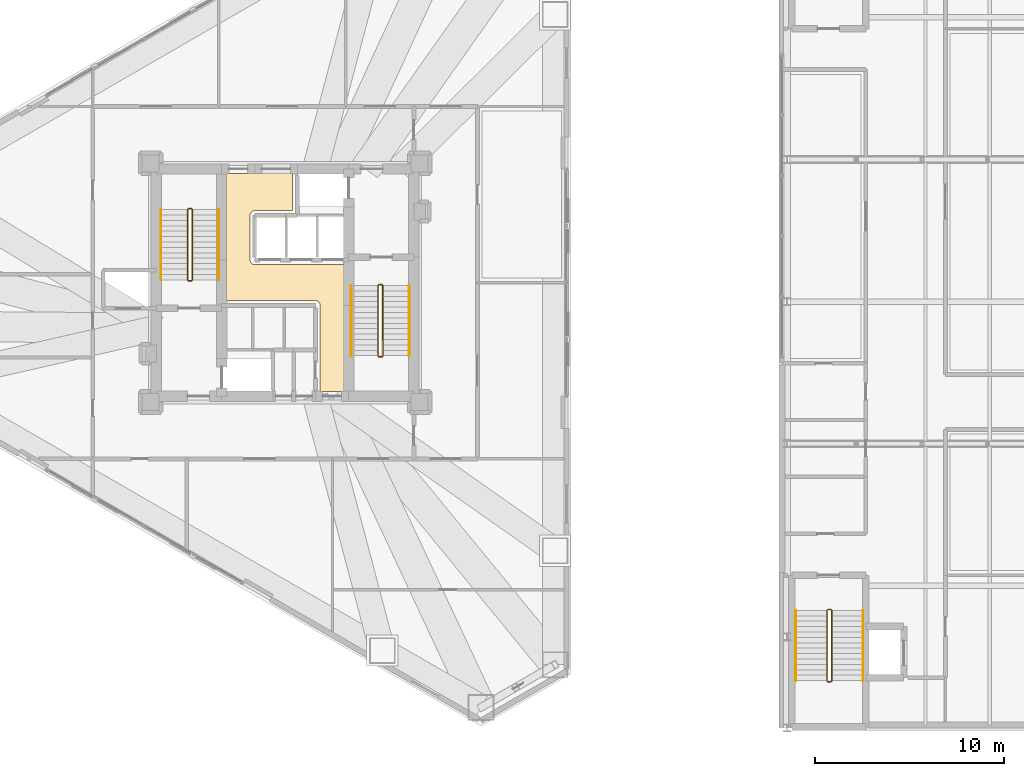
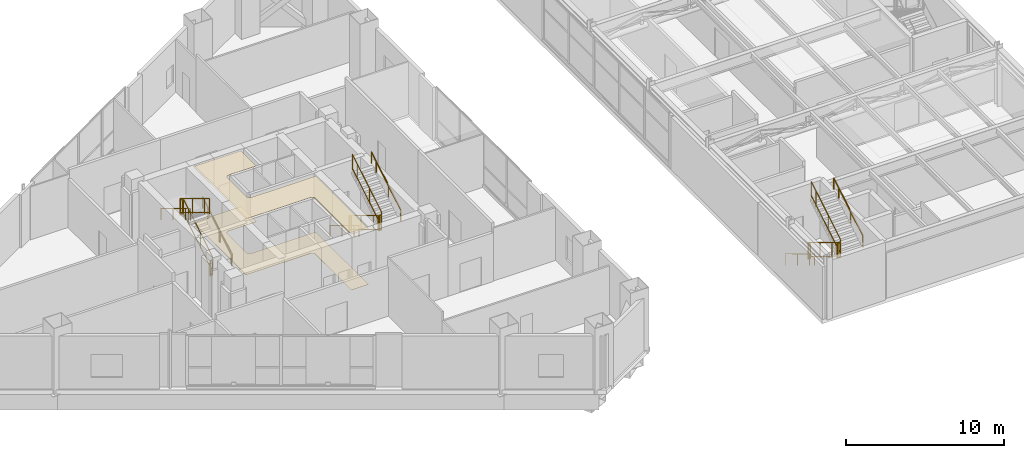
# One storey, part 27 of 29: 18 railings, 2 coverings.
"""IFC4 building model written with IfcOpenShell, lengths in metres."""

from ifc_helpers import new_model, si_unit, direction, frame, origin, origin_2d, place, context, subcontext, project, spatial, polyline, rectangle, outline, extrude, material, layer, layer_set, type_object, element, save


model = new_model("IFC4")

# Units and contexts
model_context = context("Model", 3, precision=1e-05, world=origin(), true_north=direction((0.0, 1.0)))
body_context = subcontext(model_context, "Body", "Model", "MODEL_VIEW")
ifc_project = project(units=[si_unit("LENGTHUNIT", "METRE"), si_unit("AREAUNIT", "SQUARE_METRE"), si_unit("VOLUMEUNIT", "CUBIC_METRE"), si_unit("PLANEANGLEUNIT", "RADIAN"), si_unit("MASSUNIT", "GRAM", prefix="KILO")], contexts=[model_context])

# Site, building, storey
site_placement = place(None, origin())
site = spatial("IfcSite", under=ifc_project, at=site_placement, CompositionType="ELEMENT")
building_placement = place(site_placement, origin())
building = spatial("IfcBuilding", under=site, at=building_placement, Name="Mersakhor Tower and Convention Hall", CompositionType="ELEMENT")
storey_placement = place(building_placement, frame((0.0, 0.0, 9.60009765625)))
storey = spatial("IfcBuildingStorey", under=building, at=storey_placement, Name="L02", CompositionType="ELEMENT", Elevation=9.60009765625)

# Coverings
ifc_material_1 = material(Name="Acoustic mineral-fibre suspended ceiling", Category="other")
ifc_layer_1 = layer(ifc_material_1, 0.02490234375)
ifc_layer_set_1 = layer_set([ifc_layer_1], Name="Acoustic mineral-fibre suspended ceiling")
covering_type_1 = type_object("IfcCoveringType", Name="COV-CLG-25", PredefinedType="CEILING", material=ifc_layer_set_1)
covering_1_placement = place(storey_placement, frame((0.0, 0.0, 4.31982421875)))
element("IfcCovering", 1, at=covering_1_placement, inside=storey, type_object=covering_type_1, Name="L02 Central Passenger Lift Lobby Acoustic Suspended Ceiling", PredefinedType="CEILING", context=body_context, shape_type="SweptSolid", body=[
    extrude(outline(polyline([(30.85009765625, 21.0), (30.85009765625, 25.550048828125), (30.848876953125, 25.574462890625), (30.84521484375, 25.598876953125), (30.839111328125, 25.62255859375), (30.8310546875, 25.645751953125), (30.820556640625, 25.667724609375), (30.807861328125, 25.68896484375), (30.793212890625, 25.70849609375), (30.77685546875, 25.726806640625), (30.758544921875, 25.743408203125), (30.739013671875, 25.7578125), (30.7177734375, 25.7705078125), (30.69580078125, 25.781005859375), (30.672607421875, 25.789306640625), (30.648681640625, 25.795166015625), (30.62451171875, 25.798828125), (30.60009765625, 25.800048828125), (25.89990234375, 25.800048828125), (25.89990234375, 32.5), (29.39990234375, 32.5), (29.39990234375, 30.550048828125), (27.39990234375, 30.550048828125), (27.37548828125, 30.548828125), (27.351318359375, 30.545166015625), (27.327392578125, 30.539306640625), (27.30419921875, 30.531005859375), (27.2822265625, 30.5205078125), (27.260986328125, 30.5078125), (27.241455078125, 30.493408203125), (27.22314453125, 30.476806640625), (27.206787109375, 30.45849609375), (27.192138671875, 30.43896484375), (27.179443359375, 30.417724609375), (27.1689453125, 30.395751953125), (27.160888671875, 30.37255859375), (27.15478515625, 30.348876953125), (27.151123046875, 30.324462890625), (27.14990234375, 30.300048828125), (27.14990234375, 27.949951171875), (27.151123046875, 27.925537109375), (27.15478515625, 27.901123046875), (27.160888671875, 27.87744140625), (27.1689453125, 27.854248046875), (27.179443359375, 27.832275390625), (27.192138671875, 27.81103515625), (27.206787109375, 27.79150390625), (27.22314453125, 27.773193359375), (27.241455078125, 27.756591796875), (27.260986328125, 27.7421875), (27.2822265625, 27.7294921875), (27.30419921875, 27.718994140625), (27.327392578125, 27.710693359375), (27.351318359375, 27.704833984375), (27.37548828125, 27.701171875), (27.39990234375, 27.699951171875), (32.10009765625, 27.699951171875), (32.10009765625, 21.0), (30.85009765625, 21.0)])), origin(), (0.0, 0.0, 1.0), 0.025146484375),
])
ifc_material_2 = material(Name="Polished porcelain tile flooring", Category="other")
ifc_layer_2 = layer(ifc_material_2, 0.02001953125)
ifc_layer_set_2 = layer_set([ifc_layer_2], Name="Polished porcelain tile flooring")
covering_type_2 = type_object("IfcCoveringType", Name="COV-FLR-20", PredefinedType="FLOORING", material=ifc_layer_set_2)
covering_2_placement = place(storey_placement, origin())
element("IfcCovering", 2, at=covering_2_placement, inside=storey, type_object=covering_type_2, Name="L02 Central Passenger Lift Lobby Porcelain Floor Finish", PredefinedType="FLOORING", context=body_context, shape_type="SweptSolid", body=[
    extrude(outline(polyline([(30.85009765625, 21.0), (30.85009765625, 25.550048828125), (30.848876953125, 25.574462890625), (30.84521484375, 25.598876953125), (30.839111328125, 25.62255859375), (30.8310546875, 25.645751953125), (30.820556640625, 25.667724609375), (30.807861328125, 25.68896484375), (30.793212890625, 25.70849609375), (30.77685546875, 25.726806640625), (30.758544921875, 25.743408203125), (30.739013671875, 25.7578125), (30.7177734375, 25.7705078125), (30.69580078125, 25.781005859375), (30.672607421875, 25.789306640625), (30.648681640625, 25.795166015625), (30.62451171875, 25.798828125), (30.60009765625, 25.800048828125), (25.89990234375, 25.800048828125), (25.89990234375, 32.5), (29.39990234375, 32.5), (29.39990234375, 30.550048828125), (27.39990234375, 30.550048828125), (27.37548828125, 30.548828125), (27.351318359375, 30.545166015625), (27.327392578125, 30.539306640625), (27.30419921875, 30.531005859375), (27.2822265625, 30.5205078125), (27.260986328125, 30.5078125), (27.241455078125, 30.493408203125), (27.22314453125, 30.476806640625), (27.206787109375, 30.45849609375), (27.192138671875, 30.43896484375), (27.179443359375, 30.417724609375), (27.1689453125, 30.395751953125), (27.160888671875, 30.37255859375), (27.15478515625, 30.348876953125), (27.151123046875, 30.324462890625), (27.14990234375, 30.300048828125), (27.14990234375, 27.949951171875), (27.151123046875, 27.925537109375), (27.15478515625, 27.901123046875), (27.160888671875, 27.87744140625), (27.1689453125, 27.854248046875), (27.179443359375, 27.832275390625), (27.192138671875, 27.81103515625), (27.206787109375, 27.79150390625), (27.22314453125, 27.773193359375), (27.241455078125, 27.756591796875), (27.260986328125, 27.7421875), (27.2822265625, 27.7294921875), (27.30419921875, 27.718994140625), (27.327392578125, 27.710693359375), (27.351318359375, 27.704833984375), (27.37548828125, 27.701171875), (27.39990234375, 27.699951171875), (32.10009765625, 27.699951171875), (32.10009765625, 21.0), (30.85009765625, 21.0)])), origin(), (0.0, 0.0, 1.0), 0.02001953125),
])

# Railings
ifc_material_3 = material(Name="Brushed stainless steel handrail", Category="steel")
railing_type_1 = type_object("IfcRailingType", Name="RL-HR-900", PredefinedType="HANDRAIL", material=ifc_material_3)
railing_1_placement = place(storey_placement, frame((25.5, 26.89990234375, 0.17138671875)))
element("IfcRailing", 3, at=railing_1_placement, inside=storey, type_object=railing_type_1, Name="L02 ST-1 stair handrail 1", PredefinedType="HANDRAIL", context=body_context, shape_type="SweptSolid", body=[
    extrude(rectangle(XDim=0.048095703125, YDim=0.048095703125, at=origin_2d()), frame((0.0, 0.0, 0.8759765625), z_axis=(0.0, 0.856934400257, 0.515425487977), x_axis=(-1.0, 0.0, 0.0)), (0.0, 0.0, 1.0), 4.32373046875),
    extrude(rectangle(XDim=0.0419921875, YDim=0.0419921875, at=origin_2d()), origin(), (0.0, 0.0, 1.0), 0.851806640625),
    extrude(rectangle(XDim=0.0419921875, YDim=0.0419921875, at=origin_2d()), frame((0.0, 1.54248046875, 0.927734375)), (0.0, 0.0, 1.0), 0.851806640625),
    extrude(rectangle(XDim=0.0419921875, YDim=0.0419921875, at=origin_2d()), frame((0.0, 3.0849609375, 1.85546875)), (0.0, 0.0, 1.0), 0.851806640625),
    extrude(rectangle(XDim=0.0419921875, YDim=0.0419921875, at=origin_2d()), frame((0.0, 3.705078125, 2.228515625)), (0.0, 0.0, 1.0), 0.851806640625),
])
for number, where, name in (
    (4, (22.449951171875, 30.60498046875, 2.5712890625), "L02 ST-1 stair handrail 2"),
    (5, (32.5, 26.60009765625, 0.17138671875), "L02 ST-2 stair handrail 1"),
):
    element("IfcRailing", number, at=place(storey_placement, frame(where)), inside=storey, type_object=railing_type_1, Name=name, PredefinedType="HANDRAIL", context=body_context, shape_type="SweptSolid", body=[
        extrude(rectangle(XDim=0.048095703125, YDim=0.048095703125, at=origin_2d()), frame((0.0, 0.0, 0.8759765625), z_axis=(0.0, -0.856934400257, 0.515425487977), x_axis=(1.0, 0.0, 0.0)), (0.0, 0.0, 1.0), 4.32373046875),
        extrude(rectangle(XDim=0.0419921875, YDim=0.0419921875, at=origin_2d()), origin(), (0.0, 0.0, 1.0), 0.851806640625),
        extrude(rectangle(XDim=0.0419921875, YDim=0.0419921875, at=origin_2d()), frame((0.0, -1.54248046875, 0.927734375)), (0.0, 0.0, 1.0), 0.851806640625),
        extrude(rectangle(XDim=0.0419921875, YDim=0.0419921875, at=origin_2d()), frame((0.0, -3.0849609375, 1.85546875)), (0.0, 0.0, 1.0), 0.851806640625),
        extrude(rectangle(XDim=0.0419921875, YDim=0.0419921875, at=origin_2d()), frame((0.0, -3.705078125, 2.228515625)), (0.0, 0.0, 1.0), 0.851806640625),
    ])
railing_2_placement = place(storey_placement, frame((35.550048828125, 22.89501953125, 2.5712890625)))
element("IfcRailing", 6, at=railing_2_placement, inside=storey, type_object=railing_type_1, Name="L02 ST-2 stair handrail 2", PredefinedType="HANDRAIL", context=body_context, shape_type="SweptSolid", body=[
    extrude(rectangle(XDim=0.048095703125, YDim=0.048095703125, at=origin_2d()), frame((0.0, 0.0, 0.8759765625), z_axis=(0.0, 0.856934400257, 0.515425487977), x_axis=(-1.0, 0.0, 0.0)), (0.0, 0.0, 1.0), 4.32373046875),
    extrude(rectangle(XDim=0.0419921875, YDim=0.0419921875, at=origin_2d()), origin(), (0.0, 0.0, 1.0), 0.851806640625),
    extrude(rectangle(XDim=0.0419921875, YDim=0.0419921875, at=origin_2d()), frame((0.0, 1.54248046875, 0.927734375)), (0.0, 0.0, 1.0), 0.851806640625),
    extrude(rectangle(XDim=0.0419921875, YDim=0.0419921875, at=origin_2d()), frame((0.0, 3.0849609375, 1.85546875)), (0.0, 0.0, 1.0), 0.851806640625),
    extrude(rectangle(XDim=0.0419921875, YDim=0.0419921875, at=origin_2d()), frame((0.0, 3.705078125, 2.228515625)), (0.0, 0.0, 1.0), 0.851806640625),
])
railing_3_placement = place(storey_placement, frame((55.949951171875, 9.449951171875, 0.17138671875)))
element("IfcRailing", 7, at=railing_3_placement, inside=storey, type_object=railing_type_1, Name="L02 CH-ST1 stair handrail 1", PredefinedType="HANDRAIL", context=body_context, shape_type="SweptSolid", body=[
    extrude(rectangle(XDim=0.048095703125, YDim=0.048095703125, at=origin_2d()), frame((0.0, 0.0, 0.8759765625), z_axis=(0.0, -0.856919398105, 0.515450429384), x_axis=(1.0, 0.0, 0.0)), (0.0, 0.0, 1.0), 4.323486328125),
    extrude(rectangle(XDim=0.0419921875, YDim=0.0419921875, at=origin_2d()), origin(), (0.0, 0.0, 1.0), 0.851806640625),
    extrude(rectangle(XDim=0.0419921875, YDim=0.0419921875, at=origin_2d()), frame((0.0, -1.54248046875, 0.927734375)), (0.0, 0.0, 1.0), 0.851806640625),
    extrude(rectangle(XDim=0.0419921875, YDim=0.0419921875, at=origin_2d()), frame((0.0, -3.0849609375, 1.855712890625)), (0.0, 0.0, 1.0), 0.851806640625),
    extrude(rectangle(XDim=0.0419921875, YDim=0.0419921875, at=origin_2d()), frame((0.0, -3.704833984375, 2.228515625)), (0.0, 0.0, 1.0), 0.851806640625),
])
railing_4_placement = place(storey_placement, frame((59.5, 5.7451171875, 2.5712890625)))
element("IfcRailing", 8, at=railing_4_placement, inside=storey, type_object=railing_type_1, Name="L02 CH-ST1 stair handrail 2", PredefinedType="HANDRAIL", context=body_context, shape_type="SweptSolid", body=[
    extrude(rectangle(XDim=0.048095703125, YDim=0.048095703125, at=origin_2d()), frame((0.0, 0.0, 0.8759765625), z_axis=(0.0, 0.856919398105, 0.515450429384), x_axis=(-1.0, 0.0, 0.0)), (0.0, 0.0, 1.0), 4.323486328125),
    extrude(rectangle(XDim=0.0419921875, YDim=0.0419921875, at=origin_2d()), origin(), (0.0, 0.0, 1.0), 0.851806640625),
    extrude(rectangle(XDim=0.0419921875, YDim=0.0419921875, at=origin_2d()), frame((0.0, 1.54248046875, 0.927734375)), (0.0, 0.0, 1.0), 0.851806640625),
    extrude(rectangle(XDim=0.0419921875, YDim=0.0419921875, at=origin_2d()), frame((0.0, 3.0849609375, 1.855712890625)), (0.0, 0.0, 1.0), 0.851806640625),
    extrude(rectangle(XDim=0.0419921875, YDim=0.0419921875, at=origin_2d()), frame((0.0, 3.704833984375, 2.228515625)), (0.0, 0.0, 1.0), 0.851806640625),
])
ifc_material_4 = material(Name="Painted steel stair balustrade S355", Category="steel")
railing_type_2 = type_object("IfcRailingType", Name="RL-STG-1200", PredefinedType="BALUSTRADE", material=ifc_material_4)
railing_5_placement = place(storey_placement, frame((24.10009765625, 26.89990234375, 0.17138671875)))
element("IfcRailing", 9, at=railing_5_placement, inside=storey, type_object=railing_type_2, Name="L02 ST-1 stair guard 1", PredefinedType="BALUSTRADE", context=body_context, shape_type="SweptSolid", body=[
    extrude(rectangle(XDim=0.048095703125, YDim=0.048095703125, at=origin_2d()), frame((0.0, 0.0, 1.17578125), z_axis=(0.0, 0.856934400257, 0.515425487977), x_axis=(-1.0, 0.0, 0.0)), (0.0, 0.0, 1.0), 4.32373046875),
    extrude(rectangle(XDim=0.048095703125, YDim=0.048095703125, at=origin_2d()), frame((0.0, 0.0, 0.080078125), z_axis=(0.0, 0.856934400257, 0.515425487977), x_axis=(-1.0, 0.0, 0.0)), (0.0, 0.0, 1.0), 4.32373046875),
    extrude(rectangle(XDim=0.0419921875, YDim=0.0419921875, at=origin_2d()), origin(), (0.0, 0.0, 1.0), 1.15185546875),
    extrude(rectangle(XDim=0.0419921875, YDim=0.0419921875, at=origin_2d()), frame((0.0, 1.54248046875, 0.927734375)), (0.0, 0.0, 1.0), 1.15185546875),
    extrude(rectangle(XDim=0.0419921875, YDim=0.0419921875, at=origin_2d()), frame((0.0, 3.0849609375, 1.85546875)), (0.0, 0.0, 1.0), 1.15185546875),
    extrude(rectangle(XDim=0.0419921875, YDim=0.0419921875, at=origin_2d()), frame((0.0, 3.705078125, 2.228515625)), (0.0, 0.0, 1.0), 1.15185546875),
])
railing_6_placement = place(storey_placement, frame((24.050048828125, 30.655029296875, 2.39990234375)))
element("IfcRailing", 10, at=railing_6_placement, inside=storey, type_object=railing_type_2, Name="L02 ST-1 stair guard 2", PredefinedType="BALUSTRADE", context=body_context, shape_type="SweptSolid", body=[
    extrude(rectangle(XDim=0.048095703125, YDim=0.048095703125, at=origin_2d()), frame((0.0, 0.0, 1.17578125), z_axis=(-1.0, 0.0, 0.0), x_axis=(0.0, -1.0, 0.0)), (0.0, 0.0, 1.0), 0.150146484375),
    extrude(rectangle(XDim=0.048095703125, YDim=0.048095703125, at=origin_2d()), frame((0.0, 0.0, 0.080078125), z_axis=(-1.0, 0.0, 0.0), x_axis=(0.0, -1.0, 0.0)), (0.0, 0.0, 1.0), 0.150146484375),
    extrude(rectangle(XDim=0.0419921875, YDim=0.0419921875, at=origin_2d()), origin(), (0.0, 0.0, 1.0), 1.15185546875),
    extrude(rectangle(XDim=0.0419921875, YDim=0.0419921875, at=origin_2d()), frame((-0.150146484375, 0.0, 0.0)), (0.0, 0.0, 1.0), 1.15185546875),
])
railing_7_placement = place(storey_placement, frame((23.85009765625, 30.60498046875, 2.5712890625)))
element("IfcRailing", 11, at=railing_7_placement, inside=storey, type_object=railing_type_2, Name="L02 ST-1 stair guard 3", PredefinedType="BALUSTRADE", context=body_context, shape_type="SweptSolid", body=[
    extrude(rectangle(XDim=0.048095703125, YDim=0.048095703125, at=origin_2d()), frame((0.0, 0.0, 1.17578125), z_axis=(0.0, -0.856934400257, 0.515425487977), x_axis=(1.0, 0.0, 0.0)), (0.0, 0.0, 1.0), 4.32373046875),
    extrude(rectangle(XDim=0.048095703125, YDim=0.048095703125, at=origin_2d()), frame((0.0, 0.0, 0.080078125), z_axis=(0.0, -0.856934400257, 0.515425487977), x_axis=(1.0, 0.0, 0.0)), (0.0, 0.0, 1.0), 4.32373046875),
    extrude(rectangle(XDim=0.0419921875, YDim=0.0419921875, at=origin_2d()), origin(), (0.0, 0.0, 1.0), 1.15185546875),
    extrude(rectangle(XDim=0.0419921875, YDim=0.0419921875, at=origin_2d()), frame((0.0, -1.54248046875, 0.927734375)), (0.0, 0.0, 1.0), 1.15185546875),
    extrude(rectangle(XDim=0.0419921875, YDim=0.0419921875, at=origin_2d()), frame((0.0, -3.0849609375, 1.85546875)), (0.0, 0.0, 1.0), 1.15185546875),
    extrude(rectangle(XDim=0.0419921875, YDim=0.0419921875, at=origin_2d()), frame((0.0, -3.705078125, 2.228515625)), (0.0, 0.0, 1.0), 1.15185546875),
])
railing_8_placement = place(storey_placement, frame((24.050048828125, 26.85009765625, 0.0)))
element("IfcRailing", 12, at=railing_8_placement, inside=storey, type_object=railing_type_2, Name="L02 ST-1 stair guard 4", PredefinedType="BALUSTRADE", context=body_context, shape_type="SweptSolid", body=[
    extrude(rectangle(XDim=0.048095703125, YDim=0.048095703125, at=origin_2d()), frame((0.0, 0.0, 1.17578125), z_axis=(-1.0, 0.0, 0.0), x_axis=(0.0, -1.0, 0.0)), (0.0, 0.0, 1.0), 0.150146484375),
    extrude(rectangle(XDim=0.048095703125, YDim=0.048095703125, at=origin_2d()), frame((0.0, 0.0, 0.080078125), z_axis=(-1.0, 0.0, 0.0), x_axis=(0.0, -1.0, 0.0)), (0.0, 0.0, 1.0), 0.150146484375),
    extrude(rectangle(XDim=0.0419921875, YDim=0.0419921875, at=origin_2d()), origin(), (0.0, 0.0, 1.0), 1.15185546875),
    extrude(rectangle(XDim=0.0419921875, YDim=0.0419921875, at=origin_2d()), frame((-0.150146484375, 0.0, 0.0)), (0.0, 0.0, 1.0), 1.15185546875),
])
railing_9_placement = place(storey_placement, frame((33.89990234375, 26.60009765625, 0.17138671875)))
element("IfcRailing", 13, at=railing_9_placement, inside=storey, type_object=railing_type_2, Name="L02 ST-2 stair guard 1", PredefinedType="BALUSTRADE", context=body_context, shape_type="SweptSolid", body=[
    extrude(rectangle(XDim=0.048095703125, YDim=0.048095703125, at=origin_2d()), frame((0.0, 0.0, 1.17578125), z_axis=(0.0, -0.856934400257, 0.515425487977), x_axis=(1.0, 0.0, 0.0)), (0.0, 0.0, 1.0), 4.32373046875),
    extrude(rectangle(XDim=0.048095703125, YDim=0.048095703125, at=origin_2d()), frame((0.0, 0.0, 0.080078125), z_axis=(0.0, -0.856934400257, 0.515425487977), x_axis=(1.0, 0.0, 0.0)), (0.0, 0.0, 1.0), 4.32373046875),
    extrude(rectangle(XDim=0.0419921875, YDim=0.0419921875, at=origin_2d()), origin(), (0.0, 0.0, 1.0), 1.15185546875),
    extrude(rectangle(XDim=0.0419921875, YDim=0.0419921875, at=origin_2d()), frame((0.0, -1.54248046875, 0.927734375)), (0.0, 0.0, 1.0), 1.15185546875),
    extrude(rectangle(XDim=0.0419921875, YDim=0.0419921875, at=origin_2d()), frame((0.0, -3.0849609375, 1.85546875)), (0.0, 0.0, 1.0), 1.15185546875),
    extrude(rectangle(XDim=0.0419921875, YDim=0.0419921875, at=origin_2d()), frame((0.0, -3.705078125, 2.228515625)), (0.0, 0.0, 1.0), 1.15185546875),
])
railing_10_placement = place(storey_placement, frame((33.949951171875, 22.844970703125, 2.39990234375)))
element("IfcRailing", 14, at=railing_10_placement, inside=storey, type_object=railing_type_2, Name="L02 ST-2 stair guard 2", PredefinedType="BALUSTRADE", context=body_context, shape_type="SweptSolid", body=[
    extrude(rectangle(XDim=0.048095703125, YDim=0.048095703125, at=origin_2d()), frame((0.0, 0.0, 1.17578125), z_axis=(1.0, 0.0, 0.0), x_axis=(0.0, 1.0, 0.0)), (0.0, 0.0, 1.0), 0.150146484375),
    extrude(rectangle(XDim=0.048095703125, YDim=0.048095703125, at=origin_2d()), frame((0.0, 0.0, 0.080078125), z_axis=(1.0, 0.0, 0.0), x_axis=(0.0, 1.0, 0.0)), (0.0, 0.0, 1.0), 0.150146484375),
    extrude(rectangle(XDim=0.0419921875, YDim=0.0419921875, at=origin_2d()), origin(), (0.0, 0.0, 1.0), 1.15185546875),
    extrude(rectangle(XDim=0.0419921875, YDim=0.0419921875, at=origin_2d()), frame((0.150146484375, 0.0, 0.0)), (0.0, 0.0, 1.0), 1.15185546875),
])
railing_11_placement = place(storey_placement, frame((34.14990234375, 22.89501953125, 2.5712890625)))
element("IfcRailing", 15, at=railing_11_placement, inside=storey, type_object=railing_type_2, Name="L02 ST-2 stair guard 3", PredefinedType="BALUSTRADE", context=body_context, shape_type="SweptSolid", body=[
    extrude(rectangle(XDim=0.048095703125, YDim=0.048095703125, at=origin_2d()), frame((0.0, 0.0, 1.17578125), z_axis=(0.0, 0.856934400257, 0.515425487977), x_axis=(-1.0, 0.0, 0.0)), (0.0, 0.0, 1.0), 4.32373046875),
    extrude(rectangle(XDim=0.048095703125, YDim=0.048095703125, at=origin_2d()), frame((0.0, 0.0, 0.080078125), z_axis=(0.0, 0.856934400257, 0.515425487977), x_axis=(-1.0, 0.0, 0.0)), (0.0, 0.0, 1.0), 4.32373046875),
    extrude(rectangle(XDim=0.0419921875, YDim=0.0419921875, at=origin_2d()), origin(), (0.0, 0.0, 1.0), 1.15185546875),
    extrude(rectangle(XDim=0.0419921875, YDim=0.0419921875, at=origin_2d()), frame((0.0, 1.54248046875, 0.927734375)), (0.0, 0.0, 1.0), 1.15185546875),
    extrude(rectangle(XDim=0.0419921875, YDim=0.0419921875, at=origin_2d()), frame((0.0, 3.0849609375, 1.85546875)), (0.0, 0.0, 1.0), 1.15185546875),
    extrude(rectangle(XDim=0.0419921875, YDim=0.0419921875, at=origin_2d()), frame((0.0, 3.705078125, 2.228515625)), (0.0, 0.0, 1.0), 1.15185546875),
])
railing_12_placement = place(storey_placement, frame((33.949951171875, 26.64990234375, 0.0)))
element("IfcRailing", 16, at=railing_12_placement, inside=storey, type_object=railing_type_2, Name="L02 ST-2 stair guard 4", PredefinedType="BALUSTRADE", context=body_context, shape_type="SweptSolid", body=[
    extrude(rectangle(XDim=0.048095703125, YDim=0.048095703125, at=origin_2d()), frame((0.0, 0.0, 1.17578125), z_axis=(1.0, 0.0, 0.0), x_axis=(0.0, 1.0, 0.0)), (0.0, 0.0, 1.0), 0.150146484375),
    extrude(rectangle(XDim=0.048095703125, YDim=0.048095703125, at=origin_2d()), frame((0.0, 0.0, 0.080078125), z_axis=(1.0, 0.0, 0.0), x_axis=(0.0, 1.0, 0.0)), (0.0, 0.0, 1.0), 0.150146484375),
    extrude(rectangle(XDim=0.0419921875, YDim=0.0419921875, at=origin_2d()), origin(), (0.0, 0.0, 1.0), 1.15185546875),
    extrude(rectangle(XDim=0.0419921875, YDim=0.0419921875, at=origin_2d()), frame((0.150146484375, 0.0, 0.0)), (0.0, 0.0, 1.0), 1.15185546875),
])
railing_13_placement = place(storey_placement, frame((57.60009765625, 9.449951171875, 0.17138671875)))
element("IfcRailing", 17, at=railing_13_placement, inside=storey, type_object=railing_type_2, Name="L02 CH-ST1 stair guard 1", PredefinedType="BALUSTRADE", context=body_context, shape_type="SweptSolid", body=[
    extrude(rectangle(XDim=0.048095703125, YDim=0.048095703125, at=origin_2d()), frame((0.0, 0.0, 1.17578125), z_axis=(0.0, -0.856919398105, 0.515450429384), x_axis=(1.0, 0.0, 0.0)), (0.0, 0.0, 1.0), 4.323486328125),
    extrude(rectangle(XDim=0.048095703125, YDim=0.048095703125, at=origin_2d()), frame((0.0, 0.0, 0.080078125), z_axis=(0.0, -0.856919398105, 0.515450429384), x_axis=(1.0, 0.0, 0.0)), (0.0, 0.0, 1.0), 4.323486328125),
    extrude(rectangle(XDim=0.0419921875, YDim=0.0419921875, at=origin_2d()), origin(), (0.0, 0.0, 1.0), 1.15185546875),
    extrude(rectangle(XDim=0.0419921875, YDim=0.0419921875, at=origin_2d()), frame((0.0, -1.54248046875, 0.927734375)), (0.0, 0.0, 1.0), 1.15185546875),
    extrude(rectangle(XDim=0.0419921875, YDim=0.0419921875, at=origin_2d()), frame((0.0, -3.0849609375, 1.855712890625)), (0.0, 0.0, 1.0), 1.15185546875),
    extrude(rectangle(XDim=0.0419921875, YDim=0.0419921875, at=origin_2d()), frame((0.0, -3.704833984375, 2.228515625)), (0.0, 0.0, 1.0), 1.15185546875),
])
railing_14_placement = place(storey_placement, frame((57.64990234375, 5.695068359375, 2.39990234375)))
element("IfcRailing", 18, at=railing_14_placement, inside=storey, type_object=railing_type_2, Name="L02 CH-ST1 stair guard 2", PredefinedType="BALUSTRADE", context=body_context, shape_type="SweptSolid", body=[
    extrude(rectangle(XDim=0.048095703125, YDim=0.048095703125, at=origin_2d()), frame((0.0, 0.0, 1.17578125), z_axis=(1.0, 0.0, 0.0), x_axis=(0.0, 1.0, 0.0)), (0.0, 0.0, 1.0), 0.150146484375),
    extrude(rectangle(XDim=0.048095703125, YDim=0.048095703125, at=origin_2d()), frame((0.0, 0.0, 0.080078125), z_axis=(1.0, 0.0, 0.0), x_axis=(0.0, 1.0, 0.0)), (0.0, 0.0, 1.0), 0.150146484375),
    extrude(rectangle(XDim=0.0419921875, YDim=0.0419921875, at=origin_2d()), origin(), (0.0, 0.0, 1.0), 1.15185546875),
    extrude(rectangle(XDim=0.0419921875, YDim=0.0419921875, at=origin_2d()), frame((0.150146484375, 0.0, 0.0)), (0.0, 0.0, 1.0), 1.15185546875),
])
railing_15_placement = place(storey_placement, frame((57.85009765625, 5.7451171875, 2.5712890625)))
element("IfcRailing", 19, at=railing_15_placement, inside=storey, type_object=railing_type_2, Name="L02 CH-ST1 stair guard 3", PredefinedType="BALUSTRADE", context=body_context, shape_type="SweptSolid", body=[
    extrude(rectangle(XDim=0.048095703125, YDim=0.048095703125, at=origin_2d()), frame((0.0, 0.0, 1.17578125), z_axis=(0.0, 0.856919398105, 0.515450429384), x_axis=(-1.0, 0.0, 0.0)), (0.0, 0.0, 1.0), 4.323486328125),
    extrude(rectangle(XDim=0.048095703125, YDim=0.048095703125, at=origin_2d()), frame((0.0, 0.0, 0.080078125), z_axis=(0.0, 0.856919398105, 0.515450429384), x_axis=(-1.0, 0.0, 0.0)), (0.0, 0.0, 1.0), 4.323486328125),
    extrude(rectangle(XDim=0.0419921875, YDim=0.0419921875, at=origin_2d()), origin(), (0.0, 0.0, 1.0), 1.15185546875),
    extrude(rectangle(XDim=0.0419921875, YDim=0.0419921875, at=origin_2d()), frame((0.0, 1.54248046875, 0.927734375)), (0.0, 0.0, 1.0), 1.15185546875),
    extrude(rectangle(XDim=0.0419921875, YDim=0.0419921875, at=origin_2d()), frame((0.0, 3.0849609375, 1.855712890625)), (0.0, 0.0, 1.0), 1.15185546875),
    extrude(rectangle(XDim=0.0419921875, YDim=0.0419921875, at=origin_2d()), frame((0.0, 3.704833984375, 2.228515625)), (0.0, 0.0, 1.0), 1.15185546875),
])
railing_16_placement = place(storey_placement, frame((57.64990234375, 9.5, 0.0)))
element("IfcRailing", 20, at=railing_16_placement, inside=storey, type_object=railing_type_2, Name="L02 CH-ST1 stair guard 4", PredefinedType="BALUSTRADE", context=body_context, shape_type="SweptSolid", body=[
    extrude(rectangle(XDim=0.048095703125, YDim=0.048095703125, at=origin_2d()), frame((0.0, 0.0, 1.17578125), z_axis=(1.0, 0.0, 0.0), x_axis=(0.0, 1.0, 0.0)), (0.0, 0.0, 1.0), 0.150146484375),
    extrude(rectangle(XDim=0.048095703125, YDim=0.048095703125, at=origin_2d()), frame((0.0, 0.0, 0.080078125), z_axis=(1.0, 0.0, 0.0), x_axis=(0.0, 1.0, 0.0)), (0.0, 0.0, 1.0), 0.150146484375),
    extrude(rectangle(XDim=0.0419921875, YDim=0.0419921875, at=origin_2d()), origin(), (0.0, 0.0, 1.0), 1.15185546875),
    extrude(rectangle(XDim=0.0419921875, YDim=0.0419921875, at=origin_2d()), frame((0.150146484375, 0.0, 0.0)), (0.0, 0.0, 1.0), 1.15185546875),
])

save(model, "model.ifc")
